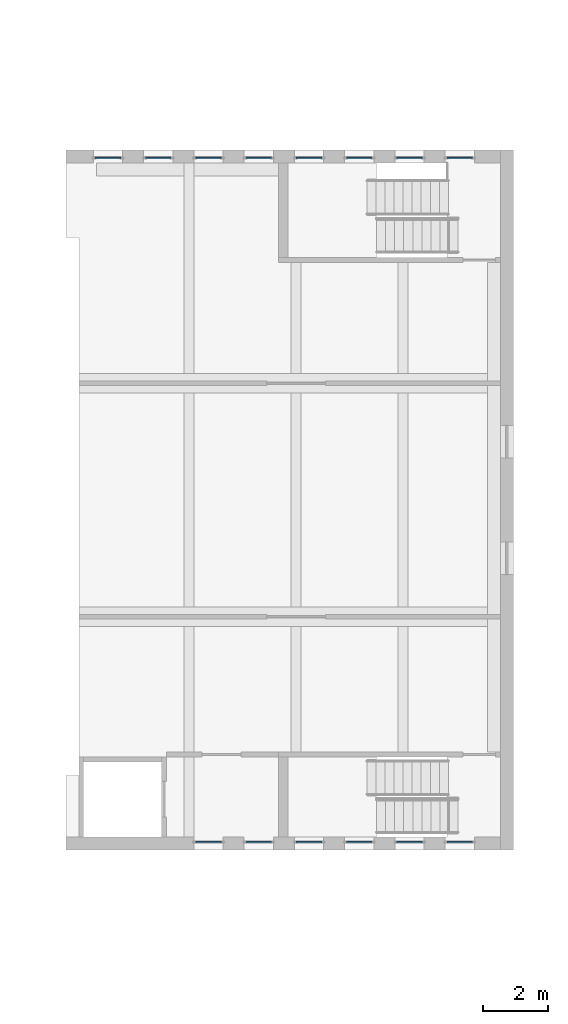
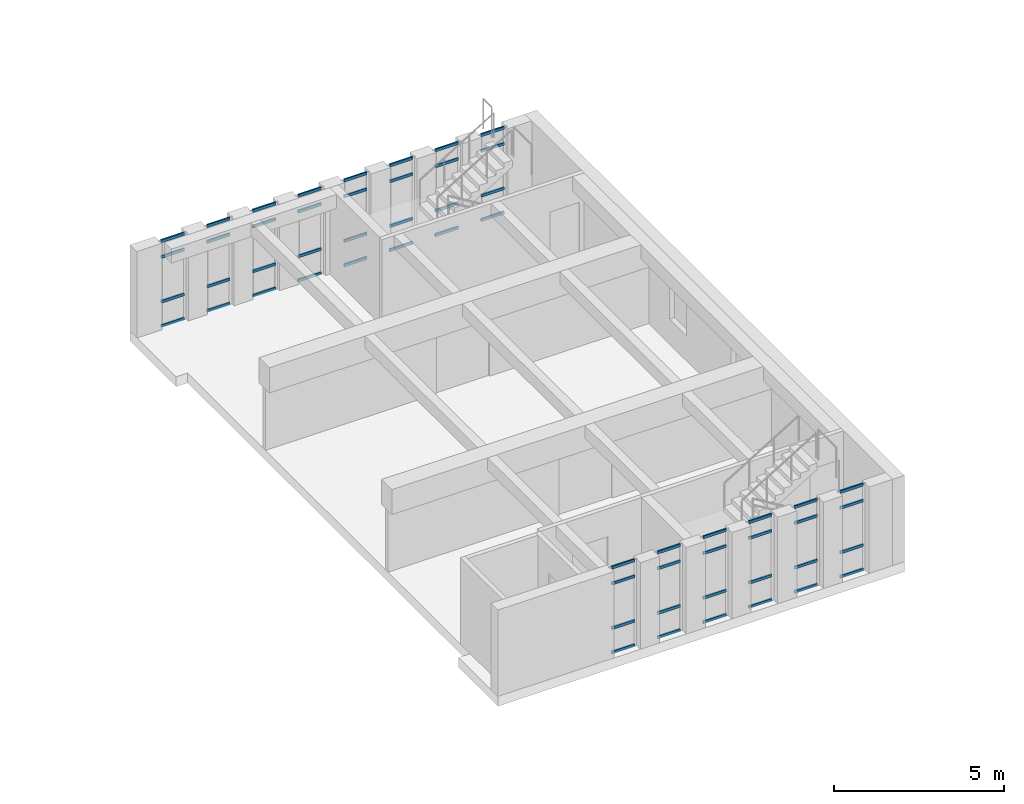
# One storey, part 9 of 19: 56 members, 14 elements without a shape of their own.
"""IFC4 building model written with IfcOpenShell, lengths in metres."""

from ifc_helpers import new_model, si_unit, direction, frame, origin, origin_2d, place, context, subcontext, project, spatial, rectangle, extrude, material, material_profile, profile_set, type_object, element, aggregate, save


model = new_model("IFC4")

# Units and contexts
model_context = context("Model", 3, precision=1e-05, world=origin(), true_north=direction((0.0, 1.0)))
body_context = subcontext(model_context, "Body", "Model", "MODEL_VIEW")
ifc_project = project(units=[si_unit("LENGTHUNIT", "METRE"), si_unit("AREAUNIT", "SQUARE_METRE"), si_unit("VOLUMEUNIT", "CUBIC_METRE"), si_unit("PLANEANGLEUNIT", "RADIAN"), si_unit("MASSUNIT", "GRAM", prefix="KILO")], contexts=[model_context])

# Site, building, storey
site_placement = place(None, origin())
site = spatial("IfcSite", under=ifc_project, at=site_placement, CompositionType="ELEMENT")
building_placement = place(site_placement, origin())
building = spatial("IfcBuilding", under=site, at=building_placement, Name="Vermilion Court Aquatics Centre", CompositionType="ELEMENT")
storey_placement = place(building_placement, frame((0.0, 0.0, 19.89990234375)))
storey = spatial("IfcBuildingStorey", under=building, at=storey_placement, Name="L04", CompositionType="ELEMENT", Elevation=19.89990234375)

# Curtain wall, members
ifc_material_1 = material(Name="Aluminium 6063-T5", Category="aluminium")
curtain_wall_type = type_object("IfcCurtainWallType", Name="Diving Tower slot curtain wall 900 module", PredefinedType="NOTDEFINED", material=ifc_material_1)
curtain_wall_1_placement = place(storey_placement, origin())
curtain_wall_1 = element("IfcCurtainWall", 1, at=curtain_wall_1_placement, inside=storey, type_object=curtain_wall_type, Name="Diving Tower slot window north 1 L04", PredefinedType="NOTDEFINED")
ifc_material_2 = material(Name="Aluminium 6063-T5", Category="aluminium")
ifc_material_profile = material_profile(ifc_material_2, rectangle(XDim=0.050048828125, YDim=0.10009765625, at=origin_2d()), Name="AL 50x100")
ifc_profile_set = profile_set([ifc_material_profile], Name="Aluminium 6063-T5")
member_type = type_object("IfcMemberType", Name="Diving Tower slot transom 50x100", PredefinedType="USERDEFINED", material=ifc_profile_set)
member_1_placement = place(storey_placement, frame((145.010009765625, 57.35009765625, 0.030029296875), z_axis=(1.0, 0.0, 0.0), x_axis=(0.0, 1.0, 0.0)))
member_1 = element("IfcMember", 2, at=member_1_placement, type_object=member_type, Name="UCW3 transom 1.1", ObjectType="TRANSOM", PredefinedType="USERDEFINED", context=body_context, shape_type="SweptSolid", body=[
    extrude(rectangle(XDim=0.050048828125, YDim=0.10009765625, at=origin_2d()), origin(), (0.0, 0.0, 1.0), 0.780029296875),
])
member_2_placement = place(storey_placement, frame((145.010009765625, 57.35009765625, 0.900146484375), z_axis=(1.0, 0.0, 0.0), x_axis=(0.0, 1.0, 0.0)))
member_2 = element("IfcMember", 3, at=member_2_placement, type_object=member_type, Name="UCW3 transom 1.2", ObjectType="TRANSOM", PredefinedType="USERDEFINED", context=body_context, shape_type="SweptSolid", body=[
    extrude(rectangle(XDim=0.050048828125, YDim=0.10009765625, at=origin_2d()), origin(), (0.0, 0.0, 1.0), 0.780029296875),
])
member_3_placement = place(storey_placement, frame((145.010009765625, 57.35009765625, 2.5), z_axis=(1.0, 0.0, 0.0), x_axis=(0.0, 1.0, 0.0)))
member_3 = element("IfcMember", 4, at=member_3_placement, type_object=member_type, Name="UCW3 transom 1.3", ObjectType="TRANSOM", PredefinedType="USERDEFINED", context=body_context, shape_type="SweptSolid", body=[
    extrude(rectangle(XDim=0.050048828125, YDim=0.10009765625, at=origin_2d()), origin(), (0.0, 0.0, 1.0), 0.780029296875),
])
member_4_placement = place(storey_placement, frame((145.010009765625, 57.35009765625, 3.070068359375), z_axis=(1.0, 0.0, 0.0), x_axis=(0.0, 1.0, 0.0)))
member_4 = element("IfcMember", 5, at=member_4_placement, type_object=member_type, Name="UCW3 transom 1.4", ObjectType="TRANSOM", PredefinedType="USERDEFINED", context=body_context, shape_type="SweptSolid", body=[
    extrude(rectangle(XDim=0.050048828125, YDim=0.10009765625, at=origin_2d()), origin(), (0.0, 0.0, 1.0), 0.780029296875),
])
aggregate(curtain_wall_1, [member_1, member_2, member_3, member_4])

curtain_wall_2_placement = place(storey_placement, origin())
curtain_wall_2 = element("IfcCurtainWall", 6, at=curtain_wall_2_placement, inside=storey, type_object=curtain_wall_type, Name="Diving Tower slot window north 2 L04", PredefinedType="NOTDEFINED")
member_5_placement = place(storey_placement, frame((146.56005859375, 57.35009765625, 0.030029296875), z_axis=(1.0, 0.0, 0.0), x_axis=(0.0, 1.0, 0.0)))
member_5 = element("IfcMember", 7, at=member_5_placement, type_object=member_type, Name="UCW3 transom 1.1", ObjectType="TRANSOM", PredefinedType="USERDEFINED", context=body_context, shape_type="SweptSolid", body=[
    extrude(rectangle(XDim=0.050048828125, YDim=0.10009765625, at=origin_2d()), origin(), (0.0, 0.0, 1.0), 0.780029296875),
])
member_6_placement = place(storey_placement, frame((146.56005859375, 57.35009765625, 0.900146484375), z_axis=(1.0, 0.0, 0.0), x_axis=(0.0, 1.0, 0.0)))
member_6 = element("IfcMember", 8, at=member_6_placement, type_object=member_type, Name="UCW3 transom 1.2", ObjectType="TRANSOM", PredefinedType="USERDEFINED", context=body_context, shape_type="SweptSolid", body=[
    extrude(rectangle(XDim=0.050048828125, YDim=0.10009765625, at=origin_2d()), origin(), (0.0, 0.0, 1.0), 0.780029296875),
])
member_7_placement = place(storey_placement, frame((146.56005859375, 57.35009765625, 2.5), z_axis=(1.0, 0.0, 0.0), x_axis=(0.0, 1.0, 0.0)))
member_7 = element("IfcMember", 9, at=member_7_placement, type_object=member_type, Name="UCW3 transom 1.3", ObjectType="TRANSOM", PredefinedType="USERDEFINED", context=body_context, shape_type="SweptSolid", body=[
    extrude(rectangle(XDim=0.050048828125, YDim=0.10009765625, at=origin_2d()), origin(), (0.0, 0.0, 1.0), 0.780029296875),
])
member_8_placement = place(storey_placement, frame((146.56005859375, 57.35009765625, 3.070068359375), z_axis=(1.0, 0.0, 0.0), x_axis=(0.0, 1.0, 0.0)))
member_8 = element("IfcMember", 10, at=member_8_placement, type_object=member_type, Name="UCW3 transom 1.4", ObjectType="TRANSOM", PredefinedType="USERDEFINED", context=body_context, shape_type="SweptSolid", body=[
    extrude(rectangle(XDim=0.050048828125, YDim=0.10009765625, at=origin_2d()), origin(), (0.0, 0.0, 1.0), 0.780029296875),
])
aggregate(curtain_wall_2, [member_5, member_6, member_7, member_8])

curtain_wall_3_placement = place(storey_placement, origin())
curtain_wall_3 = element("IfcCurtainWall", 11, at=curtain_wall_3_placement, inside=storey, type_object=curtain_wall_type, Name="Diving Tower slot window north 3 L04", PredefinedType="NOTDEFINED")
member_9_placement = place(storey_placement, frame((148.110107421875, 57.35009765625, 0.030029296875), z_axis=(1.0, 0.0, 0.0), x_axis=(0.0, 1.0, 0.0)))
member_9 = element("IfcMember", 12, at=member_9_placement, type_object=member_type, Name="UCW3 transom 1.1", ObjectType="TRANSOM", PredefinedType="USERDEFINED", context=body_context, shape_type="SweptSolid", body=[
    extrude(rectangle(XDim=0.050048828125, YDim=0.10009765625, at=origin_2d()), origin(), (0.0, 0.0, 1.0), 0.77978515625),
])
member_10_placement = place(storey_placement, frame((148.110107421875, 57.35009765625, 0.900146484375), z_axis=(1.0, 0.0, 0.0), x_axis=(0.0, 1.0, 0.0)))
member_10 = element("IfcMember", 13, at=member_10_placement, type_object=member_type, Name="UCW3 transom 1.2", ObjectType="TRANSOM", PredefinedType="USERDEFINED", context=body_context, shape_type="SweptSolid", body=[
    extrude(rectangle(XDim=0.050048828125, YDim=0.10009765625, at=origin_2d()), origin(), (0.0, 0.0, 1.0), 0.77978515625),
])
member_11_placement = place(storey_placement, frame((148.110107421875, 57.35009765625, 2.5), z_axis=(1.0, 0.0, 0.0), x_axis=(0.0, 1.0, 0.0)))
member_11 = element("IfcMember", 14, at=member_11_placement, type_object=member_type, Name="UCW3 transom 1.3", ObjectType="TRANSOM", PredefinedType="USERDEFINED", context=body_context, shape_type="SweptSolid", body=[
    extrude(rectangle(XDim=0.050048828125, YDim=0.10009765625, at=origin_2d()), origin(), (0.0, 0.0, 1.0), 0.77978515625),
])
member_12_placement = place(storey_placement, frame((148.110107421875, 57.35009765625, 3.070068359375), z_axis=(1.0, 0.0, 0.0), x_axis=(0.0, 1.0, 0.0)))
member_12 = element("IfcMember", 15, at=member_12_placement, type_object=member_type, Name="UCW3 transom 1.4", ObjectType="TRANSOM", PredefinedType="USERDEFINED", context=body_context, shape_type="SweptSolid", body=[
    extrude(rectangle(XDim=0.050048828125, YDim=0.10009765625, at=origin_2d()), origin(), (0.0, 0.0, 1.0), 0.77978515625),
])
aggregate(curtain_wall_3, [member_9, member_10, member_11, member_12])

curtain_wall_4_placement = place(storey_placement, origin())
curtain_wall_4 = element("IfcCurtainWall", 16, at=curtain_wall_4_placement, inside=storey, type_object=curtain_wall_type, Name="Diving Tower slot window north 4 L04", PredefinedType="NOTDEFINED")
member_13_placement = place(storey_placement, frame((149.659912109375, 57.35009765625, 0.030029296875), z_axis=(1.0, 0.0, 0.0), x_axis=(0.0, 1.0, 0.0)))
member_13 = element("IfcMember", 17, at=member_13_placement, type_object=member_type, Name="UCW3 transom 1.1", ObjectType="TRANSOM", PredefinedType="USERDEFINED", context=body_context, shape_type="SweptSolid", body=[
    extrude(rectangle(XDim=0.050048828125, YDim=0.10009765625, at=origin_2d()), origin(), (0.0, 0.0, 1.0), 0.780029296875),
])
member_14_placement = place(storey_placement, frame((149.659912109375, 57.35009765625, 0.900146484375), z_axis=(1.0, 0.0, 0.0), x_axis=(0.0, 1.0, 0.0)))
member_14 = element("IfcMember", 18, at=member_14_placement, type_object=member_type, Name="UCW3 transom 1.2", ObjectType="TRANSOM", PredefinedType="USERDEFINED", context=body_context, shape_type="SweptSolid", body=[
    extrude(rectangle(XDim=0.050048828125, YDim=0.10009765625, at=origin_2d()), origin(), (0.0, 0.0, 1.0), 0.780029296875),
])
member_15_placement = place(storey_placement, frame((149.659912109375, 57.35009765625, 2.5), z_axis=(1.0, 0.0, 0.0), x_axis=(0.0, 1.0, 0.0)))
member_15 = element("IfcMember", 19, at=member_15_placement, type_object=member_type, Name="UCW3 transom 1.3", ObjectType="TRANSOM", PredefinedType="USERDEFINED", context=body_context, shape_type="SweptSolid", body=[
    extrude(rectangle(XDim=0.050048828125, YDim=0.10009765625, at=origin_2d()), origin(), (0.0, 0.0, 1.0), 0.780029296875),
])
member_16_placement = place(storey_placement, frame((149.659912109375, 57.35009765625, 3.070068359375), z_axis=(1.0, 0.0, 0.0), x_axis=(0.0, 1.0, 0.0)))
member_16 = element("IfcMember", 20, at=member_16_placement, type_object=member_type, Name="UCW3 transom 1.4", ObjectType="TRANSOM", PredefinedType="USERDEFINED", context=body_context, shape_type="SweptSolid", body=[
    extrude(rectangle(XDim=0.050048828125, YDim=0.10009765625, at=origin_2d()), origin(), (0.0, 0.0, 1.0), 0.780029296875),
])
aggregate(curtain_wall_4, [member_13, member_14, member_15, member_16])

curtain_wall_5_placement = place(storey_placement, origin())
curtain_wall_5 = element("IfcCurtainWall", 21, at=curtain_wall_5_placement, inside=storey, type_object=curtain_wall_type, Name="Diving Tower slot window north 5 L04", PredefinedType="NOTDEFINED")
member_17_placement = place(storey_placement, frame((151.2099609375, 57.35009765625, 0.030029296875), z_axis=(1.0, 0.0, 0.0), x_axis=(0.0, 1.0, 0.0)))
member_17 = element("IfcMember", 22, at=member_17_placement, type_object=member_type, Name="UCW3 transom 1.1", ObjectType="TRANSOM", PredefinedType="USERDEFINED", context=body_context, shape_type="SweptSolid", body=[
    extrude(rectangle(XDim=0.050048828125, YDim=0.10009765625, at=origin_2d()), origin(), (0.0, 0.0, 1.0), 0.780029296875),
])
member_18_placement = place(storey_placement, frame((151.2099609375, 57.35009765625, 0.900146484375), z_axis=(1.0, 0.0, 0.0), x_axis=(0.0, 1.0, 0.0)))
member_18 = element("IfcMember", 23, at=member_18_placement, type_object=member_type, Name="UCW3 transom 1.2", ObjectType="TRANSOM", PredefinedType="USERDEFINED", context=body_context, shape_type="SweptSolid", body=[
    extrude(rectangle(XDim=0.050048828125, YDim=0.10009765625, at=origin_2d()), origin(), (0.0, 0.0, 1.0), 0.780029296875),
])
member_19_placement = place(storey_placement, frame((151.2099609375, 57.35009765625, 2.5), z_axis=(1.0, 0.0, 0.0), x_axis=(0.0, 1.0, 0.0)))
member_19 = element("IfcMember", 24, at=member_19_placement, type_object=member_type, Name="UCW3 transom 1.3", ObjectType="TRANSOM", PredefinedType="USERDEFINED", context=body_context, shape_type="SweptSolid", body=[
    extrude(rectangle(XDim=0.050048828125, YDim=0.10009765625, at=origin_2d()), origin(), (0.0, 0.0, 1.0), 0.780029296875),
])
member_20_placement = place(storey_placement, frame((151.2099609375, 57.35009765625, 3.070068359375), z_axis=(1.0, 0.0, 0.0), x_axis=(0.0, 1.0, 0.0)))
member_20 = element("IfcMember", 25, at=member_20_placement, type_object=member_type, Name="UCW3 transom 1.4", ObjectType="TRANSOM", PredefinedType="USERDEFINED", context=body_context, shape_type="SweptSolid", body=[
    extrude(rectangle(XDim=0.050048828125, YDim=0.10009765625, at=origin_2d()), origin(), (0.0, 0.0, 1.0), 0.780029296875),
])
aggregate(curtain_wall_5, [member_17, member_18, member_19, member_20])

curtain_wall_6_placement = place(storey_placement, origin())
curtain_wall_6 = element("IfcCurtainWall", 26, at=curtain_wall_6_placement, inside=storey, type_object=curtain_wall_type, Name="Diving Tower slot window north 6 L04", PredefinedType="NOTDEFINED")
member_21_placement = place(storey_placement, frame((152.760009765625, 57.35009765625, 0.030029296875), z_axis=(1.0, 0.0, 0.0), x_axis=(0.0, 1.0, 0.0)))
member_21 = element("IfcMember", 27, at=member_21_placement, type_object=member_type, Name="UCW3 transom 1.1", ObjectType="TRANSOM", PredefinedType="USERDEFINED", context=body_context, shape_type="SweptSolid", body=[
    extrude(rectangle(XDim=0.050048828125, YDim=0.10009765625, at=origin_2d()), origin(), (0.0, 0.0, 1.0), 0.780029296875),
])
member_22_placement = place(storey_placement, frame((152.760009765625, 57.35009765625, 0.900146484375), z_axis=(1.0, 0.0, 0.0), x_axis=(0.0, 1.0, 0.0)))
member_22 = element("IfcMember", 28, at=member_22_placement, type_object=member_type, Name="UCW3 transom 1.2", ObjectType="TRANSOM", PredefinedType="USERDEFINED", context=body_context, shape_type="SweptSolid", body=[
    extrude(rectangle(XDim=0.050048828125, YDim=0.10009765625, at=origin_2d()), origin(), (0.0, 0.0, 1.0), 0.780029296875),
])
member_23_placement = place(storey_placement, frame((152.760009765625, 57.35009765625, 2.5), z_axis=(1.0, 0.0, 0.0), x_axis=(0.0, 1.0, 0.0)))
member_23 = element("IfcMember", 29, at=member_23_placement, type_object=member_type, Name="UCW3 transom 1.3", ObjectType="TRANSOM", PredefinedType="USERDEFINED", context=body_context, shape_type="SweptSolid", body=[
    extrude(rectangle(XDim=0.050048828125, YDim=0.10009765625, at=origin_2d()), origin(), (0.0, 0.0, 1.0), 0.780029296875),
])
member_24_placement = place(storey_placement, frame((152.760009765625, 57.35009765625, 3.070068359375), z_axis=(1.0, 0.0, 0.0), x_axis=(0.0, 1.0, 0.0)))
member_24 = element("IfcMember", 30, at=member_24_placement, type_object=member_type, Name="UCW3 transom 1.4", ObjectType="TRANSOM", PredefinedType="USERDEFINED", context=body_context, shape_type="SweptSolid", body=[
    extrude(rectangle(XDim=0.050048828125, YDim=0.10009765625, at=origin_2d()), origin(), (0.0, 0.0, 1.0), 0.780029296875),
])
aggregate(curtain_wall_6, [member_21, member_22, member_23, member_24])

curtain_wall_7_placement = place(storey_placement, origin())
curtain_wall_7 = element("IfcCurtainWall", 31, at=curtain_wall_7_placement, inside=storey, type_object=curtain_wall_type, Name="Diving Tower slot window north 7 L04", PredefinedType="NOTDEFINED")
member_25_placement = place(storey_placement, frame((154.31005859375, 57.35009765625, 0.030029296875), z_axis=(1.0, 0.0, 0.0), x_axis=(0.0, 1.0, 0.0)))
member_25 = element("IfcMember", 32, at=member_25_placement, type_object=member_type, Name="UCW3 transom 1.1", ObjectType="TRANSOM", PredefinedType="USERDEFINED", context=body_context, shape_type="SweptSolid", body=[
    extrude(rectangle(XDim=0.050048828125, YDim=0.10009765625, at=origin_2d()), origin(), (0.0, 0.0, 1.0), 0.780029296875),
])
member_26_placement = place(storey_placement, frame((154.31005859375, 57.35009765625, 0.900146484375), z_axis=(1.0, 0.0, 0.0), x_axis=(0.0, 1.0, 0.0)))
member_26 = element("IfcMember", 33, at=member_26_placement, type_object=member_type, Name="UCW3 transom 1.2", ObjectType="TRANSOM", PredefinedType="USERDEFINED", context=body_context, shape_type="SweptSolid", body=[
    extrude(rectangle(XDim=0.050048828125, YDim=0.10009765625, at=origin_2d()), origin(), (0.0, 0.0, 1.0), 0.780029296875),
])
member_27_placement = place(storey_placement, frame((154.31005859375, 57.35009765625, 2.5), z_axis=(1.0, 0.0, 0.0), x_axis=(0.0, 1.0, 0.0)))
member_27 = element("IfcMember", 34, at=member_27_placement, type_object=member_type, Name="UCW3 transom 1.3", ObjectType="TRANSOM", PredefinedType="USERDEFINED", context=body_context, shape_type="SweptSolid", body=[
    extrude(rectangle(XDim=0.050048828125, YDim=0.10009765625, at=origin_2d()), origin(), (0.0, 0.0, 1.0), 0.780029296875),
])
member_28_placement = place(storey_placement, frame((154.31005859375, 57.35009765625, 3.070068359375), z_axis=(1.0, 0.0, 0.0), x_axis=(0.0, 1.0, 0.0)))
member_28 = element("IfcMember", 35, at=member_28_placement, type_object=member_type, Name="UCW3 transom 1.4", ObjectType="TRANSOM", PredefinedType="USERDEFINED", context=body_context, shape_type="SweptSolid", body=[
    extrude(rectangle(XDim=0.050048828125, YDim=0.10009765625, at=origin_2d()), origin(), (0.0, 0.0, 1.0), 0.780029296875),
])
aggregate(curtain_wall_7, [member_25, member_26, member_27, member_28])

curtain_wall_8_placement = place(storey_placement, origin())
curtain_wall_8 = element("IfcCurtainWall", 36, at=curtain_wall_8_placement, inside=storey, type_object=curtain_wall_type, Name="Diving Tower slot window north 8 L04", PredefinedType="NOTDEFINED")
member_29_placement = place(storey_placement, frame((155.860107421875, 57.35009765625, 0.030029296875), z_axis=(1.0, 0.0, 0.0), x_axis=(0.0, 1.0, 0.0)))
member_29 = element("IfcMember", 37, at=member_29_placement, type_object=member_type, Name="UCW3 transom 1.1", ObjectType="TRANSOM", PredefinedType="USERDEFINED", context=body_context, shape_type="SweptSolid", body=[
    extrude(rectangle(XDim=0.050048828125, YDim=0.10009765625, at=origin_2d()), origin(), (0.0, 0.0, 1.0), 0.77978515625),
])
member_30_placement = place(storey_placement, frame((155.860107421875, 57.35009765625, 0.900146484375), z_axis=(1.0, 0.0, 0.0), x_axis=(0.0, 1.0, 0.0)))
member_30 = element("IfcMember", 38, at=member_30_placement, type_object=member_type, Name="UCW3 transom 1.2", ObjectType="TRANSOM", PredefinedType="USERDEFINED", context=body_context, shape_type="SweptSolid", body=[
    extrude(rectangle(XDim=0.050048828125, YDim=0.10009765625, at=origin_2d()), origin(), (0.0, 0.0, 1.0), 0.77978515625),
])
member_31_placement = place(storey_placement, frame((155.860107421875, 57.35009765625, 2.5), z_axis=(1.0, 0.0, 0.0), x_axis=(0.0, 1.0, 0.0)))
member_31 = element("IfcMember", 39, at=member_31_placement, type_object=member_type, Name="UCW3 transom 1.3", ObjectType="TRANSOM", PredefinedType="USERDEFINED", context=body_context, shape_type="SweptSolid", body=[
    extrude(rectangle(XDim=0.050048828125, YDim=0.10009765625, at=origin_2d()), origin(), (0.0, 0.0, 1.0), 0.77978515625),
])
member_32_placement = place(storey_placement, frame((155.860107421875, 57.35009765625, 3.070068359375), z_axis=(1.0, 0.0, 0.0), x_axis=(0.0, 1.0, 0.0)))
member_32 = element("IfcMember", 40, at=member_32_placement, type_object=member_type, Name="UCW3 transom 1.4", ObjectType="TRANSOM", PredefinedType="USERDEFINED", context=body_context, shape_type="SweptSolid", body=[
    extrude(rectangle(XDim=0.050048828125, YDim=0.10009765625, at=origin_2d()), origin(), (0.0, 0.0, 1.0), 0.77978515625),
])
aggregate(curtain_wall_8, [member_29, member_30, member_31, member_32])

curtain_wall_9_placement = place(storey_placement, origin())
curtain_wall_9 = element("IfcCurtainWall", 41, at=curtain_wall_9_placement, inside=storey, type_object=curtain_wall_type, Name="Diving Tower slot window south 1 L04", PredefinedType="NOTDEFINED")
member_33_placement = place(storey_placement, frame((148.110107421875, 36.25, 0.030029296875), z_axis=(1.0, 0.0, 0.0), x_axis=(0.0, 1.0, 0.0)))
member_33 = element("IfcMember", 42, at=member_33_placement, type_object=member_type, Name="UCW3 transom 1.1", ObjectType="TRANSOM", PredefinedType="USERDEFINED", context=body_context, shape_type="SweptSolid", body=[
    extrude(rectangle(XDim=0.050048828125, YDim=0.10009765625, at=origin_2d()), origin(), (0.0, 0.0, 1.0), 0.77978515625),
])
member_34_placement = place(storey_placement, frame((148.110107421875, 36.25, 0.900146484375), z_axis=(1.0, 0.0, 0.0), x_axis=(0.0, 1.0, 0.0)))
member_34 = element("IfcMember", 43, at=member_34_placement, type_object=member_type, Name="UCW3 transom 1.2", ObjectType="TRANSOM", PredefinedType="USERDEFINED", context=body_context, shape_type="SweptSolid", body=[
    extrude(rectangle(XDim=0.050048828125, YDim=0.10009765625, at=origin_2d()), origin(), (0.0, 0.0, 1.0), 0.77978515625),
])
member_35_placement = place(storey_placement, frame((148.110107421875, 36.25, 2.5), z_axis=(1.0, 0.0, 0.0), x_axis=(0.0, 1.0, 0.0)))
member_35 = element("IfcMember", 44, at=member_35_placement, type_object=member_type, Name="UCW3 transom 1.3", ObjectType="TRANSOM", PredefinedType="USERDEFINED", context=body_context, shape_type="SweptSolid", body=[
    extrude(rectangle(XDim=0.050048828125, YDim=0.10009765625, at=origin_2d()), origin(), (0.0, 0.0, 1.0), 0.77978515625),
])
member_36_placement = place(storey_placement, frame((148.110107421875, 36.25, 3.070068359375), z_axis=(1.0, 0.0, 0.0), x_axis=(0.0, 1.0, 0.0)))
member_36 = element("IfcMember", 45, at=member_36_placement, type_object=member_type, Name="UCW3 transom 1.4", ObjectType="TRANSOM", PredefinedType="USERDEFINED", context=body_context, shape_type="SweptSolid", body=[
    extrude(rectangle(XDim=0.050048828125, YDim=0.10009765625, at=origin_2d()), origin(), (0.0, 0.0, 1.0), 0.77978515625),
])
aggregate(curtain_wall_9, [member_33, member_34, member_35, member_36])

curtain_wall_10_placement = place(storey_placement, origin())
curtain_wall_10 = element("IfcCurtainWall", 46, at=curtain_wall_10_placement, inside=storey, type_object=curtain_wall_type, Name="Diving Tower slot window south 2 L04", PredefinedType="NOTDEFINED")
member_37_placement = place(storey_placement, frame((149.659912109375, 36.25, 0.030029296875), z_axis=(1.0, 0.0, 0.0), x_axis=(0.0, 1.0, 0.0)))
member_37 = element("IfcMember", 47, at=member_37_placement, type_object=member_type, Name="UCW3 transom 1.1", ObjectType="TRANSOM", PredefinedType="USERDEFINED", context=body_context, shape_type="SweptSolid", body=[
    extrude(rectangle(XDim=0.050048828125, YDim=0.10009765625, at=origin_2d()), origin(), (0.0, 0.0, 1.0), 0.780029296875),
])
member_38_placement = place(storey_placement, frame((149.659912109375, 36.25, 0.900146484375), z_axis=(1.0, 0.0, 0.0), x_axis=(0.0, 1.0, 0.0)))
member_38 = element("IfcMember", 48, at=member_38_placement, type_object=member_type, Name="UCW3 transom 1.2", ObjectType="TRANSOM", PredefinedType="USERDEFINED", context=body_context, shape_type="SweptSolid", body=[
    extrude(rectangle(XDim=0.050048828125, YDim=0.10009765625, at=origin_2d()), origin(), (0.0, 0.0, 1.0), 0.780029296875),
])
member_39_placement = place(storey_placement, frame((149.659912109375, 36.25, 2.5), z_axis=(1.0, 0.0, 0.0), x_axis=(0.0, 1.0, 0.0)))
member_39 = element("IfcMember", 49, at=member_39_placement, type_object=member_type, Name="UCW3 transom 1.3", ObjectType="TRANSOM", PredefinedType="USERDEFINED", context=body_context, shape_type="SweptSolid", body=[
    extrude(rectangle(XDim=0.050048828125, YDim=0.10009765625, at=origin_2d()), origin(), (0.0, 0.0, 1.0), 0.780029296875),
])
member_40_placement = place(storey_placement, frame((149.659912109375, 36.25, 3.070068359375), z_axis=(1.0, 0.0, 0.0), x_axis=(0.0, 1.0, 0.0)))
member_40 = element("IfcMember", 50, at=member_40_placement, type_object=member_type, Name="UCW3 transom 1.4", ObjectType="TRANSOM", PredefinedType="USERDEFINED", context=body_context, shape_type="SweptSolid", body=[
    extrude(rectangle(XDim=0.050048828125, YDim=0.10009765625, at=origin_2d()), origin(), (0.0, 0.0, 1.0), 0.780029296875),
])
aggregate(curtain_wall_10, [member_37, member_38, member_39, member_40])

curtain_wall_11_placement = place(storey_placement, origin())
curtain_wall_11 = element("IfcCurtainWall", 51, at=curtain_wall_11_placement, inside=storey, type_object=curtain_wall_type, Name="Diving Tower slot window south 3 L04", PredefinedType="NOTDEFINED")
member_41_placement = place(storey_placement, frame((151.2099609375, 36.25, 0.030029296875), z_axis=(1.0, 0.0, 0.0), x_axis=(0.0, 1.0, 0.0)))
member_41 = element("IfcMember", 52, at=member_41_placement, type_object=member_type, Name="UCW3 transom 1.1", ObjectType="TRANSOM", PredefinedType="USERDEFINED", context=body_context, shape_type="SweptSolid", body=[
    extrude(rectangle(XDim=0.050048828125, YDim=0.10009765625, at=origin_2d()), origin(), (0.0, 0.0, 1.0), 0.780029296875),
])
member_42_placement = place(storey_placement, frame((151.2099609375, 36.25, 0.900146484375), z_axis=(1.0, 0.0, 0.0), x_axis=(0.0, 1.0, 0.0)))
member_42 = element("IfcMember", 53, at=member_42_placement, type_object=member_type, Name="UCW3 transom 1.2", ObjectType="TRANSOM", PredefinedType="USERDEFINED", context=body_context, shape_type="SweptSolid", body=[
    extrude(rectangle(XDim=0.050048828125, YDim=0.10009765625, at=origin_2d()), origin(), (0.0, 0.0, 1.0), 0.780029296875),
])
member_43_placement = place(storey_placement, frame((151.2099609375, 36.25, 2.5), z_axis=(1.0, 0.0, 0.0), x_axis=(0.0, 1.0, 0.0)))
member_43 = element("IfcMember", 54, at=member_43_placement, type_object=member_type, Name="UCW3 transom 1.3", ObjectType="TRANSOM", PredefinedType="USERDEFINED", context=body_context, shape_type="SweptSolid", body=[
    extrude(rectangle(XDim=0.050048828125, YDim=0.10009765625, at=origin_2d()), origin(), (0.0, 0.0, 1.0), 0.780029296875),
])
member_44_placement = place(storey_placement, frame((151.2099609375, 36.25, 3.070068359375), z_axis=(1.0, 0.0, 0.0), x_axis=(0.0, 1.0, 0.0)))
member_44 = element("IfcMember", 55, at=member_44_placement, type_object=member_type, Name="UCW3 transom 1.4", ObjectType="TRANSOM", PredefinedType="USERDEFINED", context=body_context, shape_type="SweptSolid", body=[
    extrude(rectangle(XDim=0.050048828125, YDim=0.10009765625, at=origin_2d()), origin(), (0.0, 0.0, 1.0), 0.780029296875),
])
aggregate(curtain_wall_11, [member_41, member_42, member_43, member_44])

curtain_wall_12_placement = place(storey_placement, origin())
curtain_wall_12 = element("IfcCurtainWall", 56, at=curtain_wall_12_placement, inside=storey, type_object=curtain_wall_type, Name="Diving Tower slot window south 4 L04", PredefinedType="NOTDEFINED")
member_45_placement = place(storey_placement, frame((152.760009765625, 36.25, 0.030029296875), z_axis=(1.0, 0.0, 0.0), x_axis=(0.0, 1.0, 0.0)))
member_45 = element("IfcMember", 57, at=member_45_placement, type_object=member_type, Name="UCW3 transom 1.1", ObjectType="TRANSOM", PredefinedType="USERDEFINED", context=body_context, shape_type="SweptSolid", body=[
    extrude(rectangle(XDim=0.050048828125, YDim=0.10009765625, at=origin_2d()), origin(), (0.0, 0.0, 1.0), 0.780029296875),
])
member_46_placement = place(storey_placement, frame((152.760009765625, 36.25, 0.900146484375), z_axis=(1.0, 0.0, 0.0), x_axis=(0.0, 1.0, 0.0)))
member_46 = element("IfcMember", 58, at=member_46_placement, type_object=member_type, Name="UCW3 transom 1.2", ObjectType="TRANSOM", PredefinedType="USERDEFINED", context=body_context, shape_type="SweptSolid", body=[
    extrude(rectangle(XDim=0.050048828125, YDim=0.10009765625, at=origin_2d()), origin(), (0.0, 0.0, 1.0), 0.780029296875),
])
member_47_placement = place(storey_placement, frame((152.760009765625, 36.25, 2.5), z_axis=(1.0, 0.0, 0.0), x_axis=(0.0, 1.0, 0.0)))
member_47 = element("IfcMember", 59, at=member_47_placement, type_object=member_type, Name="UCW3 transom 1.3", ObjectType="TRANSOM", PredefinedType="USERDEFINED", context=body_context, shape_type="SweptSolid", body=[
    extrude(rectangle(XDim=0.050048828125, YDim=0.10009765625, at=origin_2d()), origin(), (0.0, 0.0, 1.0), 0.780029296875),
])
member_48_placement = place(storey_placement, frame((152.760009765625, 36.25, 3.070068359375), z_axis=(1.0, 0.0, 0.0), x_axis=(0.0, 1.0, 0.0)))
member_48 = element("IfcMember", 60, at=member_48_placement, type_object=member_type, Name="UCW3 transom 1.4", ObjectType="TRANSOM", PredefinedType="USERDEFINED", context=body_context, shape_type="SweptSolid", body=[
    extrude(rectangle(XDim=0.050048828125, YDim=0.10009765625, at=origin_2d()), origin(), (0.0, 0.0, 1.0), 0.780029296875),
])
aggregate(curtain_wall_12, [member_45, member_46, member_47, member_48])

curtain_wall_13_placement = place(storey_placement, origin())
curtain_wall_13 = element("IfcCurtainWall", 61, at=curtain_wall_13_placement, inside=storey, type_object=curtain_wall_type, Name="Diving Tower slot window south 5 L04", PredefinedType="NOTDEFINED")
member_49_placement = place(storey_placement, frame((154.31005859375, 36.25, 0.030029296875), z_axis=(1.0, 0.0, 0.0), x_axis=(0.0, 1.0, 0.0)))
member_49 = element("IfcMember", 62, at=member_49_placement, type_object=member_type, Name="UCW3 transom 1.1", ObjectType="TRANSOM", PredefinedType="USERDEFINED", context=body_context, shape_type="SweptSolid", body=[
    extrude(rectangle(XDim=0.050048828125, YDim=0.10009765625, at=origin_2d()), origin(), (0.0, 0.0, 1.0), 0.780029296875),
])
member_50_placement = place(storey_placement, frame((154.31005859375, 36.25, 0.900146484375), z_axis=(1.0, 0.0, 0.0), x_axis=(0.0, 1.0, 0.0)))
member_50 = element("IfcMember", 63, at=member_50_placement, type_object=member_type, Name="UCW3 transom 1.2", ObjectType="TRANSOM", PredefinedType="USERDEFINED", context=body_context, shape_type="SweptSolid", body=[
    extrude(rectangle(XDim=0.050048828125, YDim=0.10009765625, at=origin_2d()), origin(), (0.0, 0.0, 1.0), 0.780029296875),
])
member_51_placement = place(storey_placement, frame((154.31005859375, 36.25, 2.5), z_axis=(1.0, 0.0, 0.0), x_axis=(0.0, 1.0, 0.0)))
member_51 = element("IfcMember", 64, at=member_51_placement, type_object=member_type, Name="UCW3 transom 1.3", ObjectType="TRANSOM", PredefinedType="USERDEFINED", context=body_context, shape_type="SweptSolid", body=[
    extrude(rectangle(XDim=0.050048828125, YDim=0.10009765625, at=origin_2d()), origin(), (0.0, 0.0, 1.0), 0.780029296875),
])
member_52_placement = place(storey_placement, frame((154.31005859375, 36.25, 3.070068359375), z_axis=(1.0, 0.0, 0.0), x_axis=(0.0, 1.0, 0.0)))
member_52 = element("IfcMember", 65, at=member_52_placement, type_object=member_type, Name="UCW3 transom 1.4", ObjectType="TRANSOM", PredefinedType="USERDEFINED", context=body_context, shape_type="SweptSolid", body=[
    extrude(rectangle(XDim=0.050048828125, YDim=0.10009765625, at=origin_2d()), origin(), (0.0, 0.0, 1.0), 0.780029296875),
])
aggregate(curtain_wall_13, [member_49, member_50, member_51, member_52])

curtain_wall_14_placement = place(storey_placement, origin())
curtain_wall_14 = element("IfcCurtainWall", 66, at=curtain_wall_14_placement, inside=storey, type_object=curtain_wall_type, Name="Diving Tower slot window south 6 L04", PredefinedType="NOTDEFINED")
member_53_placement = place(storey_placement, frame((155.860107421875, 36.25, 0.030029296875), z_axis=(1.0, 0.0, 0.0), x_axis=(0.0, 1.0, 0.0)))
member_53 = element("IfcMember", 67, at=member_53_placement, type_object=member_type, Name="UCW3 transom 1.1", ObjectType="TRANSOM", PredefinedType="USERDEFINED", context=body_context, shape_type="SweptSolid", body=[
    extrude(rectangle(XDim=0.050048828125, YDim=0.10009765625, at=origin_2d()), origin(), (0.0, 0.0, 1.0), 0.77978515625),
])
member_54_placement = place(storey_placement, frame((155.860107421875, 36.25, 0.900146484375), z_axis=(1.0, 0.0, 0.0), x_axis=(0.0, 1.0, 0.0)))
member_54 = element("IfcMember", 68, at=member_54_placement, type_object=member_type, Name="UCW3 transom 1.2", ObjectType="TRANSOM", PredefinedType="USERDEFINED", context=body_context, shape_type="SweptSolid", body=[
    extrude(rectangle(XDim=0.050048828125, YDim=0.10009765625, at=origin_2d()), origin(), (0.0, 0.0, 1.0), 0.77978515625),
])
member_55_placement = place(storey_placement, frame((155.860107421875, 36.25, 2.5), z_axis=(1.0, 0.0, 0.0), x_axis=(0.0, 1.0, 0.0)))
member_55 = element("IfcMember", 69, at=member_55_placement, type_object=member_type, Name="UCW3 transom 1.3", ObjectType="TRANSOM", PredefinedType="USERDEFINED", context=body_context, shape_type="SweptSolid", body=[
    extrude(rectangle(XDim=0.050048828125, YDim=0.10009765625, at=origin_2d()), origin(), (0.0, 0.0, 1.0), 0.77978515625),
])
member_56_placement = place(storey_placement, frame((155.860107421875, 36.25, 3.070068359375), z_axis=(1.0, 0.0, 0.0), x_axis=(0.0, 1.0, 0.0)))
member_56 = element("IfcMember", 70, at=member_56_placement, type_object=member_type, Name="UCW3 transom 1.4", ObjectType="TRANSOM", PredefinedType="USERDEFINED", context=body_context, shape_type="SweptSolid", body=[
    extrude(rectangle(XDim=0.050048828125, YDim=0.10009765625, at=origin_2d()), origin(), (0.0, 0.0, 1.0), 0.77978515625),
])
aggregate(curtain_wall_14, [member_53, member_54, member_55, member_56])

save(model, "model.ifc")
